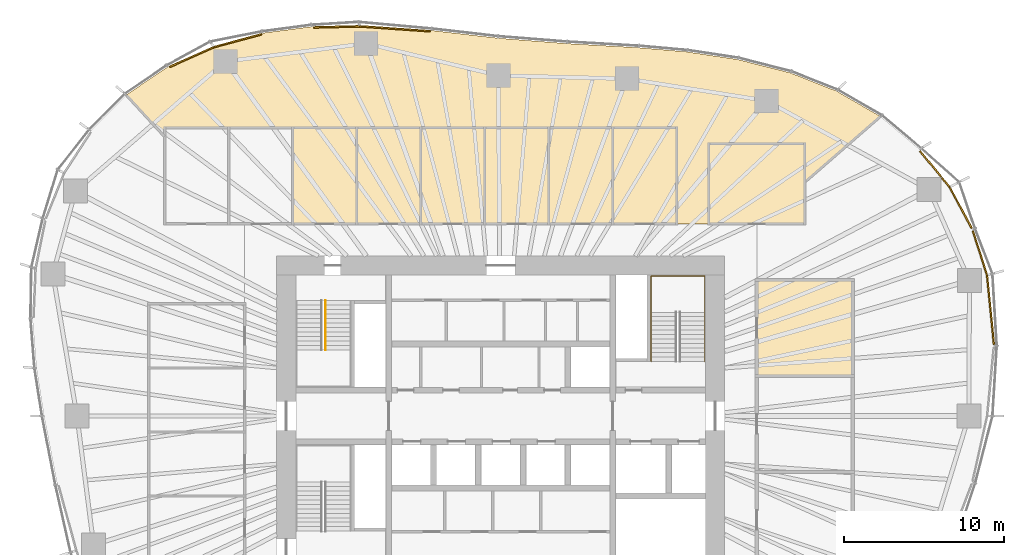
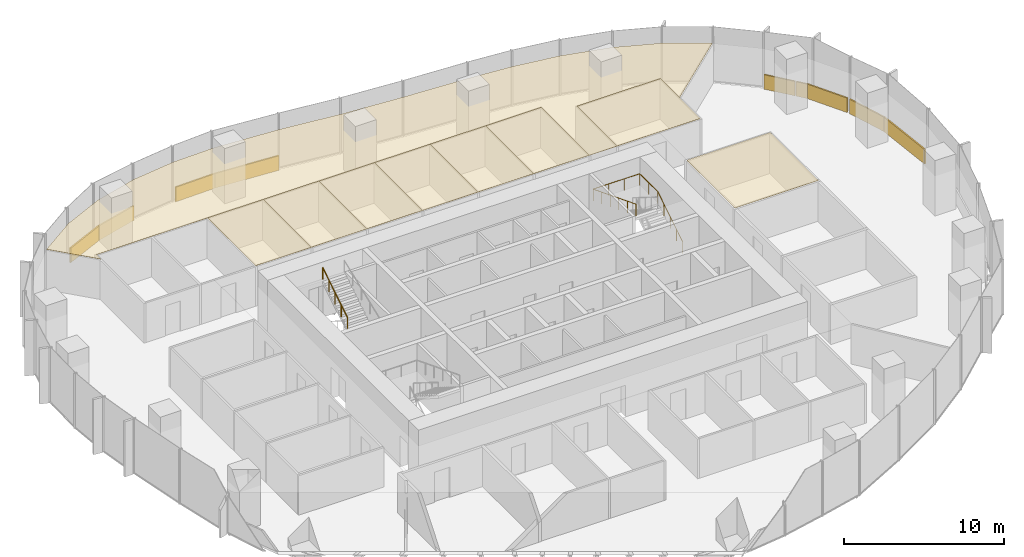
# One storey, part 18 of 18: 18 coverings, 2 railings.
"""IFC4 building model written with IfcOpenShell, lengths in metres."""

from ifc_helpers import new_model, si_unit, direction, frame, origin, origin_2d, place, context, subcontext, project, spatial, polyline, rectangle, circle, outline, extrude, material, layer, layer_set, type_object, element, save


model = new_model("IFC4")

# Units and contexts
model_context = context("Model", 3, precision=1e-05, world=origin(), true_north=direction((0.0, 1.0)))
body_context = subcontext(model_context, "Body", "Model", "MODEL_VIEW")
ifc_project = project(units=[si_unit("LENGTHUNIT", "METRE"), si_unit("AREAUNIT", "SQUARE_METRE"), si_unit("VOLUMEUNIT", "CUBIC_METRE"), si_unit("PLANEANGLEUNIT", "RADIAN"), si_unit("MASSUNIT", "GRAM", prefix="KILO")], contexts=[model_context])

# Site, building, storey
site_placement = place(None, origin())
site = spatial("IfcSite", under=ifc_project, at=site_placement, CompositionType="ELEMENT")
building_placement = place(site_placement, origin())
building = spatial("IfcBuilding", under=site, at=building_placement, Name="Ghaith Harvest Tower", CompositionType="ELEMENT")
storey_placement = place(building_placement, frame((0.0, 0.0, 113.39990234375)))
storey = spatial("IfcBuildingStorey", under=building, at=storey_placement, Name="L23", CompositionType="ELEMENT", Elevation=113.39990234375)

# Coverings
ifc_material_1 = material(Name="Mineral fibre ceiling tile", Category="gypsum")
ifc_layer_1 = layer(ifc_material_1, 0.02001953125)
ifc_layer_set_1 = layer_set([ifc_layer_1], Name="CEILING C1")
covering_type_1 = type_object("IfcCoveringType", Name="CEILING C1", PredefinedType="CEILING", material=ifc_layer_set_1)
covering_1_placement = place(storey_placement, frame((0.0, 0.0, 3.0)))
element("IfcCovering", 1, at=covering_1_placement, inside=storey, type_object=covering_type_1, Name="Ceiling L23-03", PredefinedType="CEILING", context=body_context, shape_type="SweptSolid", body=[
    extrude(outline(polyline([(-13.0, 12.0), (-9.0, 12.0), (-9.0, 18.0), (-13.0, 18.0), (-13.0, 12.0)])), origin(), (0.0, 0.0, 1.0), 0.02001953125),
])
covering_2_placement = place(storey_placement, frame((0.0, 0.0, 3.0)))
element("IfcCovering", 2, at=covering_2_placement, inside=storey, type_object=covering_type_1, Name="Ceiling L23-04", PredefinedType="CEILING", context=body_context, shape_type="SweptSolid", body=[
    extrude(outline(polyline([(-9.0, 12.0), (-5.0, 12.0), (-5.0, 18.0), (-9.0, 18.0), (-9.0, 12.0)])), origin(), (0.0, 0.0, 1.0), 0.02001953125),
])
covering_3_placement = place(storey_placement, frame((0.0, 0.0, 3.0)))
element("IfcCovering", 3, at=covering_3_placement, inside=storey, type_object=covering_type_1, Name="Ceiling L23-05", PredefinedType="CEILING", context=body_context, shape_type="SweptSolid", body=[
    extrude(outline(polyline([(-5.0, 12.0), (-1.0, 12.0), (-1.0, 18.0), (-5.0, 18.0), (-5.0, 12.0)])), origin(), (0.0, 0.0, 1.0), 0.02001953125),
])
covering_4_placement = place(storey_placement, frame((0.0, 0.0, 3.0)))
element("IfcCovering", 4, at=covering_4_placement, inside=storey, type_object=covering_type_1, Name="Ceiling L23-06", PredefinedType="CEILING", context=body_context, shape_type="SweptSolid", body=[
    extrude(outline(polyline([(-1.0, 12.0), (3.0, 12.0), (3.0, 18.0), (-1.0, 18.0), (-1.0, 12.0)])), origin(), (0.0, 0.0, 1.0), 0.02001953125),
])
covering_5_placement = place(storey_placement, frame((0.0, 0.0, 3.0)))
element("IfcCovering", 5, at=covering_5_placement, inside=storey, type_object=covering_type_1, Name="Ceiling L23-07", PredefinedType="CEILING", context=body_context, shape_type="SweptSolid", body=[
    extrude(outline(polyline([(3.0, 12.0), (7.0, 12.0), (7.0, 18.0), (3.0, 18.0), (3.0, 12.0)])), origin(), (0.0, 0.0, 1.0), 0.02001953125),
])
covering_6_placement = place(storey_placement, frame((0.0, 0.0, 3.0)))
element("IfcCovering", 6, at=covering_6_placement, inside=storey, type_object=covering_type_1, Name="Ceiling L23-08", PredefinedType="CEILING", context=body_context, shape_type="SweptSolid", body=[
    extrude(outline(polyline([(7.0, 12.0), (11.0, 12.0), (11.0, 18.0), (7.0, 18.0), (7.0, 12.0)])), origin(), (0.0, 0.0, 1.0), 0.02001953125),
])
covering_7_placement = place(storey_placement, frame((0.0, 0.0, 3.0)))
element("IfcCovering", 7, at=covering_7_placement, inside=storey, type_object=covering_type_1, Name="Ceiling L23-09", PredefinedType="CEILING", context=body_context, shape_type="SweptSolid", body=[
    extrude(outline(polyline([(13.0, 12.0), (19.0, 12.0), (19.0, 17.0), (13.0, 17.0), (13.0, 12.0)])), origin(), (0.0, 0.0, 1.0), 0.02001953125),
])
covering_8_placement = place(storey_placement, frame((0.0, 0.0, 3.0)))
element("IfcCovering", 8, at=covering_8_placement, inside=storey, type_object=covering_type_1, Name="Ceiling L23-12", PredefinedType="CEILING", context=body_context, shape_type="SweptSolid", body=[
    extrude(outline(polyline([(16.0, 2.5), (22.0, 2.5), (22.0, 8.5), (16.0, 8.5), (16.0, 2.5)])), origin(), (0.0, 0.0, 1.0), 0.02001953125),
])
covering_9_placement = place(storey_placement, frame((0.0, 0.0, 3.0)))
element("IfcCovering", 9, at=covering_9_placement, inside=storey, type_object=covering_type_1, Name="Ceiling L23-N1", PredefinedType="CEILING", context=body_context, shape_type="SweptSolid", body=[
    extrude(outline(polyline([(-20.79248046875, 21.82470703125), (-17.938232421875, 23.097412109375), (-14.860595703125, 23.927978515625), (-11.788818359375, 24.331787109375), (-8.814208984375, 24.404541015625), (-4.302001953125, 24.089111328125), (-0.16162109375, 23.609619140625), (4.125732421875, 23.272705078125), (8.604736328125, 23.017333984375), (11.617919921875, 22.757080078125), (14.79833984375, 22.27978515625), (18.0849609375, 21.4462890625), (20.97998046875, 20.3056640625), (23.7275390625, 18.718017578125), (19.0, 14.60791015625), (19.0, 17.0), (13.0, 17.0), (13.0, 12.0), (11.0, 12.0), (11.0, 18.0), (-21.0, 18.0), (-21.0, 17.447998046875), (-23.398193359375, 20.06103515625), (-20.79248046875, 21.82470703125)])), origin(), (0.0, 0.0, 1.0), 0.02001953125),
])

# Railings
ifc_material_2 = material(Name="Steel, black powder-coated", Category="steel")
railing_type = type_object("IfcRailingType", Name="HANDRAIL HR1", PredefinedType="HANDRAIL", material=ifc_material_2)
railing_1_placement = place(storey_placement, frame((-10.949951171875, 4.1201171875, 2.275146484375)))
element("IfcRailing", 10, at=railing_1_placement, inside=storey, type_object=railing_type, Name="Handrail HR1 stair ST1 L23 flight 2 inner", PredefinedType="HANDRAIL", context=body_context, shape_type="SweptSolid", body=[
    extrude(circle(Radius=0.02392578125, at=origin_2d()), frame((0.0, 0.0, 0.8759765625), z_axis=(0.0, 0.847979421464, 0.530029150871), x_axis=(-1.0, 0.0, 0.0)), (0.0, 0.0, 1.0), 3.632080078125),
    extrude(circle(Radius=0.02099609375, at=origin_2d()), origin(), (0.0, 0.0, 1.0), 0.851806640625),
    extrude(circle(Radius=0.02099609375, at=origin_2d()), frame((0.0, 0.77001953125, 0.481201171875)), (0.0, 0.0, 1.0), 0.851806640625),
    extrude(circle(Radius=0.02099609375, at=origin_2d()), frame((0.0, 1.5400390625, 0.96240234375)), (0.0, 0.0, 1.0), 0.851806640625),
    extrude(circle(Radius=0.02099609375, at=origin_2d()), frame((0.0, 2.309814453125, 1.44384765625)), (0.0, 0.0, 1.0), 0.851806640625),
    extrude(circle(Radius=0.02099609375, at=origin_2d()), frame((0.0, 3.079833984375, 1.925048828125)), (0.0, 0.0, 1.0), 0.851806640625),
])
railing_2_placement = place(storey_placement, frame((12.75, 3.39990234375, 0.175048828125)))
element("IfcRailing", 11, at=railing_2_placement, inside=storey, type_object=railing_type, Name="Handrail HR1 stair ST2 L23 wall side", PredefinedType="HANDRAIL", context=body_context, shape_type="SweptSolid", body=[
    extrude(circle(Radius=0.02392578125, at=origin_2d()), frame((0.0, 0.0, 0.8759765625), z_axis=(0.0, 0.847998304005, 0.529998940003), x_axis=(-1.0, 0.0, 0.0)), (0.0, 0.0, 1.0), 3.632080078125),
    extrude(circle(Radius=0.02392578125, at=origin_2d()), frame((0.0, 3.080078125, 2.80078125), z_axis=(0.0, 1.0, 0.0), x_axis=(-1.0, 0.0, 0.0)), (0.0, 0.0, 1.0), 2.27001953125),
    extrude(circle(Radius=0.02392578125, at=origin_2d()), frame((0.0, 5.35009765625, 2.80078125), z_axis=(-1.0, 0.0, 0.0), x_axis=(0.0, -1.0, 0.0)), (0.0, 0.0, 1.0), 3.35009765625),
    extrude(circle(Radius=0.02392578125, at=origin_2d()), frame((-3.35009765625, 5.35009765625, 2.80078125), z_axis=(0.0, -0.930853684876, 0.365392141887), x_axis=(1.0, 0.0, 0.0)), (0.0, 0.0, 1.0), 5.74755859375),
    extrude(circle(Radius=0.02099609375, at=origin_2d()), origin(), (0.0, 0.0, 1.0), 0.851806640625),
    extrude(circle(Radius=0.02099609375, at=origin_2d()), frame((0.0, 0.77001953125, 0.481201171875)), (0.0, 0.0, 1.0), 0.851806640625),
    extrude(circle(Radius=0.02099609375, at=origin_2d()), frame((0.0, 1.5400390625, 0.96240234375)), (0.0, 0.0, 1.0), 0.851806640625),
    extrude(circle(Radius=0.02099609375, at=origin_2d()), frame((0.0, 2.31005859375, 1.44384765625)), (0.0, 0.0, 1.0), 0.851806640625),
    extrude(circle(Radius=0.02099609375, at=origin_2d()), frame((0.0, 3.080078125, 1.925048828125)), (0.0, 0.0, 1.0), 0.851806640625),
    extrude(circle(Radius=0.02099609375, at=origin_2d()), frame((0.0, 4.215087890625, 1.925048828125)), (0.0, 0.0, 1.0), 0.851806640625),
    extrude(circle(Radius=0.02099609375, at=origin_2d()), frame((0.0, 5.35009765625, 1.925048828125)), (0.0, 0.0, 1.0), 0.851806640625),
    extrude(circle(Radius=0.02099609375, at=origin_2d()), frame((-1.11669921875, 5.35009765625, 1.925048828125)), (0.0, 0.0, 1.0), 0.851806640625),
    extrude(circle(Radius=0.02099609375, at=origin_2d()), frame((-2.2333984375, 5.35009765625, 1.925048828125)), (0.0, 0.0, 1.0), 0.851806640625),
    extrude(circle(Radius=0.02099609375, at=origin_2d()), frame((-3.35009765625, 5.35009765625, 1.925048828125)), (0.0, 0.0, 1.0), 0.851806640625),
    extrude(circle(Radius=0.02099609375, at=origin_2d()), frame((-3.35009765625, 4.280029296875, 2.344970703125)), (0.0, 0.0, 1.0), 0.851806640625),
    extrude(circle(Radius=0.02099609375, at=origin_2d()), frame((-3.35009765625, 3.2099609375, 2.76513671875)), (0.0, 0.0, 1.0), 0.851806640625),
    extrude(circle(Radius=0.02099609375, at=origin_2d()), frame((-3.35009765625, 2.14013671875, 3.18505859375)), (0.0, 0.0, 1.0), 0.851806640625),
    extrude(circle(Radius=0.02099609375, at=origin_2d()), frame((-3.35009765625, 1.070068359375, 3.605224609375)), (0.0, 0.0, 1.0), 0.851806640625),
    extrude(circle(Radius=0.02099609375, at=origin_2d()), frame((-3.35009765625, 0.0, 4.025146484375)), (0.0, 0.0, 1.0), 0.851806640625),
])

# Coverings
ifc_material_3 = material(Name="Insulated aluminium spandrel panel on steel framing", Category="steel")
ifc_layer_2 = layer(ifc_material_3, 0.10009765625)
ifc_layer_set_2 = layer_set([ifc_layer_2], Name="SLAB EDGE UPSTAND 1100x100")
covering_type_2 = type_object("IfcCoveringType", Name="SLAB EDGE UPSTAND 1100x100", PredefinedType="CLADDING", material=ifc_layer_set_2)
covering_10_placement = place(storey_placement, frame((30.604736328125, 6.630126953125, 0.0), z_axis=(0.0, 0.0, 1.0), x_axis=(-0.099131765681, 0.995074315332, 0.0)))
element("IfcCovering", 12, at=covering_10_placement, inside=storey, type_object=covering_type_2, Name="Slab edge upstand 2 bay 01 L23", PredefinedType="CLADDING", context=body_context, shape_type="SweptSolid", body=[
    extrude(rectangle(XDim=4.346435546875, YDim=0.10009765625, at=origin_2d()), origin(), (0.0, 0.0, 1.0), 1.10009765625),
])
covering_11_placement = place(storey_placement, frame((29.948486328125, 10.171875, 0.0), z_axis=(0.0, 0.0, 1.0), x_axis=(-0.303716894855, 0.952762324916, 0.0)))
element("IfcCovering", 13, at=covering_11_placement, inside=storey, type_object=covering_type_2, Name="Slab edge upstand 1 bay 02 L23", PredefinedType="CLADDING", context=body_context, shape_type="SweptSolid", body=[
    extrude(rectangle(XDim=2.916748046875, YDim=0.10009765625, at=origin_2d()), origin(), (0.0, 0.0, 1.0), 1.10009765625),
])
covering_12_placement = place(storey_placement, frame((28.738037109375, 13.018798828125, 0.0), z_axis=(0.0, 0.0, 1.0), x_axis=(-0.475408661811, 0.87976508471, 0.0)))
element("IfcCovering", 14, at=covering_12_placement, inside=storey, type_object=covering_type_2, Name="Slab edge upstand 2 bay 02 L23", PredefinedType="CLADDING", context=body_context, shape_type="SweptSolid", body=[
    extrude(rectangle(XDim=2.91650390625, YDim=0.10009765625, at=origin_2d()), origin(), (0.0, 0.0, 1.0), 1.10009765625),
])
covering_13_placement = place(storey_placement, frame((27.806396484375, 14.592041015625, 0.0), z_axis=(0.0, 0.0, 1.0), x_axis=(-0.632969558548, 0.774176683937, 0.0)))
element("IfcCovering", 15, at=covering_13_placement, inside=storey, type_object=covering_type_2, Name="Slab edge upstand 3 bay 02 L23", PredefinedType="CLADDING", context=body_context, shape_type="SweptSolid", body=[
    extrude(rectangle(XDim=0.77001953125, YDim=0.10009765625, at=origin_2d()), origin(), (0.0, 0.0, 1.0), 1.10009765625),
])
covering_14_placement = place(storey_placement, frame((26.863525390625, 15.7451171875, 0.0), z_axis=(0.0, 0.0, 1.0), x_axis=(-0.632969558548, 0.774176683937, 0.0)))
element("IfcCovering", 16, at=covering_14_placement, inside=storey, type_object=covering_type_2, Name="Slab edge upstand 3 bay 02 L23", PredefinedType="CLADDING", context=body_context, shape_type="SweptSolid", body=[
    extrude(rectangle(XDim=2.083740234375, YDim=0.10009765625, at=origin_2d()), origin(), (0.0, 0.0, 1.0), 1.10009765625),
])
covering_15_placement = place(storey_placement, frame((-6.611572265625, 24.200439453125, 0.0), z_axis=(0.0, 0.0, 1.0), x_axis=(-0.997566199698, 0.069725728542, 0.0)))
element("IfcCovering", 17, at=covering_15_placement, inside=storey, type_object=covering_type_2, Name="Slab edge upstand 2 bay 06 L23", PredefinedType="CLADDING", context=body_context, shape_type="SweptSolid", body=[
    extrude(rectangle(XDim=4.42333984375, YDim=0.10009765625, at=origin_2d()), origin(), (0.0, 0.0, 1.0), 1.10009765625),
])
covering_16_placement = place(storey_placement, frame((-10.25048828125, 24.3193359375, 0.0), z_axis=(0.0, 0.0, 1.0), x_axis=(-0.999700846757, -0.024458474865, 0.0)))
element("IfcCovering", 18, at=covering_16_placement, inside=storey, type_object=covering_type_2, Name="Slab edge upstand 1 bay 07 L23", PredefinedType="CLADDING", context=body_context, shape_type="SweptSolid", body=[
    extrude(rectangle(XDim=2.87548828125, YDim=0.10009765625, at=origin_2d()), origin(), (0.0, 0.0, 1.0), 1.10009765625),
])
covering_17_placement = place(storey_placement, frame((-16.4345703125, 23.451416015625, 0.0), z_axis=(0.0, 0.0, 1.0), x_axis=(-0.965455035926, -0.260569709685, 0.0)))
element("IfcCovering", 19, at=covering_17_placement, inside=storey, type_object=covering_type_2, Name="Slab edge upstand 3 bay 07 L23", PredefinedType="CLADDING", context=body_context, shape_type="SweptSolid", body=[
    extrude(rectangle(XDim=3.087890625, YDim=0.10009765625, at=origin_2d()), origin(), (0.0, 0.0, 1.0), 1.10009765625),
])
covering_18_placement = place(storey_placement, frame((-19.29931640625, 22.435791015625, 0.0), z_axis=(0.0, 0.0, 1.0), x_axis=(-0.913334621001, -0.40720986, 0.0)))
element("IfcCovering", 20, at=covering_18_placement, inside=storey, type_object=covering_type_2, Name="Slab edge upstand 1 bay 08 L23", PredefinedType="CLADDING", context=body_context, shape_type="SweptSolid", body=[
    extrude(rectangle(XDim=3.025146484375, YDim=0.10009765625, at=origin_2d()), origin(), (0.0, 0.0, 1.0), 1.10009765625),
])

save(model, "model.ifc")
